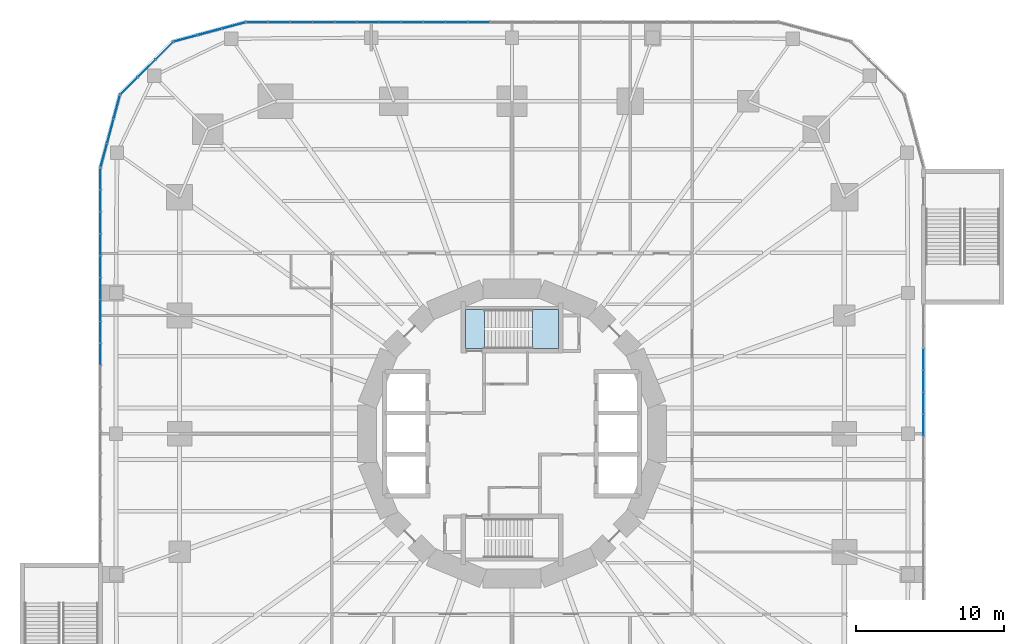
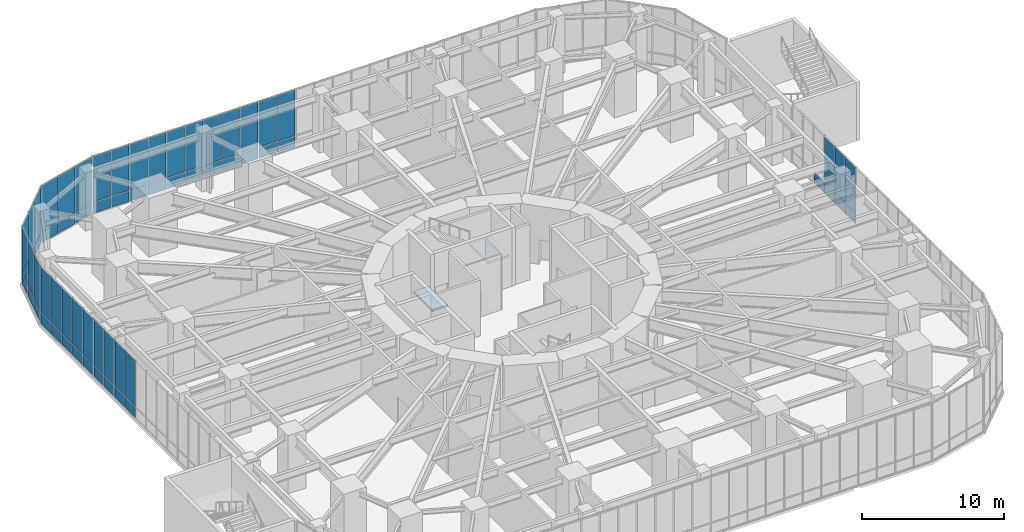
# One storey, part 18 of 24: 65 plates, 2 slabs, 7 elements without a shape of their own.
"""IFC4 building model written with IfcOpenShell, lengths in metres."""

import ifcopenshell
import ifcopenshell.guid

model = None  # the IFC model being written
_history = None  # IfcOwnerHistory: only IFC2X3 demands one
_inside = {}  # id of a spatial element -> (the spatial element, [elements in it])
_under = {}  # id of a project, library or spatial element -> (it, [spatial elements below it])
_declared = {}  # id of a project -> (the project, [libraries it declares])
_typed = {}  # id of a type object -> (the type object, [elements of that type])
_made_of = {}  # id of a material, layer set ... -> (it, [elements and type objects made of it])


def new_model(schema):
    """Start an empty IFC model of exactly this schema.

    Asked for "IFC4X3", IfcOpenShell would pick the latest addendum, in which some entities
    have other attributes; the version numbers below select the first issue.
    IFC2X3 requires an IfcOwnerHistory on every rooted entity: one is made here for all.
    """
    global model, _history
    if schema == "IFC4X3":
        model = ifcopenshell.file(schema_version=(4, 3, 0, 0))
    else:
        model = ifcopenshell.file(schema=schema)
    _inside.clear()
    _under.clear()
    _declared.clear()
    _typed.clear()
    _made_of.clear()
    _history = None
    if model.schema == "IFC2X3":
        org = make("IfcOrganization", Name="unknown")
        user = make(
            "IfcPersonAndOrganization",
            ThePerson=make("IfcPerson", FamilyName="unknown"),
            TheOrganization=org,
        )
        app = make(
            "IfcApplication",
            ApplicationDeveloper=org,
            Version="unknown",
            ApplicationFullName="unknown",
            ApplicationIdentifier="unknown",
        )
        _history = make(
            "IfcOwnerHistory",
            OwningUser=user,
            OwningApplication=app,
            ChangeAction="ADDED",
            CreationDate=0,
        )
    return model


def make(cls, **values):
    """One entity of the class cls with the attributes given. An attribute that is None is left unset."""
    return model.create_entity(
        cls, **{name: value for name, value in values.items() if value is not None}
    )


def rooted(cls, **values):
    """An entity with a GlobalId (a new one), such as an element, a storey or a relation."""
    return make(cls, GlobalId=ifcopenshell.guid.new(), OwnerHistory=_history, **values)


def si_unit(unit_type, name, prefix=None):
    """IfcSIUnit, for example si_unit("LENGTHUNIT", "METRE", prefix="MILLI")."""
    return make("IfcSIUnit", UnitType=unit_type, Prefix=prefix, Name=name)


def assignment(units):
    """IfcUnitAssignment: the units of a project."""
    return None if units is None else make("IfcUnitAssignment", Units=units)


def point(xyz):
    """IfcCartesianPoint."""
    return None if xyz is None else make("IfcCartesianPoint", Coordinates=xyz)


def direction(xyz):
    """IfcDirection."""
    return None if xyz is None else make("IfcDirection", DirectionRatios=xyz)


def frame(location, z_axis=None, x_axis=None):
    """IfcAxis2Placement3D, a coordinate frame: its origin and axes. An axis left out is left unset."""
    return make(
        "IfcAxis2Placement3D",
        Location=point(location),
        Axis=direction(z_axis),
        RefDirection=direction(x_axis),
    )


def frame_2d(location, x_axis=None):
    """IfcAxis2Placement2D, a coordinate frame in the plane: its origin and x axis."""
    return make(
        "IfcAxis2Placement2D", Location=point(location), RefDirection=direction(x_axis)
    )


def origin():
    """The frame at (0, 0, 0) with its axes left unset."""
    return frame((0.0, 0.0, 0.0))


def origin_2d():
    """The frame at (0, 0) in the plane with its x axis left unset."""
    return frame_2d((0.0, 0.0))


def place(relative_to, where):
    """IfcLocalPlacement: puts the frame where relative to a parent placement (None: the world)."""
    return make(
        "IfcLocalPlacement", PlacementRelTo=relative_to, RelativePlacement=where
    )


def context(
    kind, dimensions, precision=None, world=None, true_north=None, identifier=None
):
    """IfcGeometricRepresentationContext, for example the 3D "Model" context."""
    return make(
        "IfcGeometricRepresentationContext",
        ContextIdentifier=identifier,
        ContextType=kind,
        CoordinateSpaceDimension=dimensions,
        Precision=precision,
        WorldCoordinateSystem=world,
        TrueNorth=true_north,
    )


def subcontext(parent, identifier, kind, view, scale=None):
    """IfcGeometricRepresentationSubContext, for example "Body" below "Model"."""
    return make(
        "IfcGeometricRepresentationSubContext",
        ContextIdentifier=identifier,
        ContextType=kind,
        ParentContext=parent,
        TargetScale=scale,
        TargetView=view,
    )


def project(units=None, contexts=None):
    """IfcProject with its units and contexts."""
    return rooted(
        "IfcProject",
        Name="project",
        RepresentationContexts=contexts,
        UnitsInContext=assignment(units),
    )


def spatial(cls, under=None, at=None, **own):
    """A site, building, storey or space (cls), placed at a placement, below another one or the project."""
    s = rooted(cls, ObjectPlacement=at, **own)
    if under is not None:
        _under.setdefault(under.id(), (under, []))[1].append(s)
    return s


def polyline(points):
    """IfcPolyline through the points."""
    return make("IfcPolyline", Points=[point(p) for p in points])


def profile(cls, at=None, kind="AREA", **sizes):
    """A parametric profile (cls). Its sizes go by their IFC names, for example OverallWidth=200.0."""
    return make(cls, ProfileType=kind, Position=at, **sizes)


def rectangle(**sizes):
    """IfcRectangleProfileDef."""
    return profile("IfcRectangleProfileDef", **sizes)


def outline(outer, holes=None, kind="AREA"):
    """IfcArbitraryClosedProfileDef: a profile drawn as a closed curve; with holes, ...WithVoids."""
    if holes is None:
        return make("IfcArbitraryClosedProfileDef", ProfileType=kind, OuterCurve=outer)
    return make(
        "IfcArbitraryProfileDefWithVoids",
        ProfileType=kind,
        OuterCurve=outer,
        InnerCurves=holes,
    )


def extrude(swept, where, along, depth):
    """IfcExtrudedAreaSolid: the profile swept, set in the frame where, extruded along a direction by depth."""
    return make(
        "IfcExtrudedAreaSolid",
        SweptArea=swept,
        Position=where,
        ExtrudedDirection=direction(along),
        Depth=depth,
    )


def shape(context_of_items, identifier, shape_type, items):
    """IfcShapeRepresentation: the items that make up one representation, for example the "Body"."""
    return make(
        "IfcShapeRepresentation",
        ContextOfItems=context_of_items,
        RepresentationIdentifier=identifier,
        RepresentationType=shape_type,
        Items=items,
    )


def material(Name=None, Category=None):
    """IfcMaterial."""
    return make("IfcMaterial", Name=Name, Category=Category)


def layer(
    of_material, thickness, ventilated=None, Name=None, Category=None, Priority=None
):
    """IfcMaterialLayer: one layer of a wall or slab, of a material (None: an air gap)."""
    return make(
        "IfcMaterialLayer",
        Material=of_material,
        LayerThickness=thickness,
        IsVentilated=ventilated,
        Name=Name,
        Category=Category,
        Priority=Priority,
    )


def layer_set(layers, Name=None):
    """IfcMaterialLayerSet."""
    return make("IfcMaterialLayerSet", MaterialLayers=layers, LayerSetName=Name)


def made_of(thing, what):
    """Note that an element or type object is made of a material, layer set ...; save() writes the relation."""
    if what is not None:
        _made_of.setdefault(what.id(), (what, []))[1].append(thing)
    return thing


def type_object(cls, material=None, **own):
    """A type object (cls), such as IfcWallType, which elements share."""
    return made_of(rooted(cls, **own), material)


def element(
    cls,
    number,
    at=None,
    inside=None,
    cuts=None,
    type_object=None,
    material=None,
    context=None,
    identifier="Body",
    shape_type=None,
    held_by="IfcProductDefinitionShape",
    body=None,
    shapes=None,
    **own,
):
    """One element of the class cls, such as IfcWall. Its Tag is "e" and its number.

    at: its placement. inside: the storey or other place that contains it. cuts: it is an
    opening in that element (IfcRelVoidsElement). A single representation is given by context,
    identifier, shape_type and body (its items); several are given by shapes. held_by: the class
    of the entity that holds the representations. save() writes the other relations.
    """
    e = rooted(cls, Tag="e%d" % number, ObjectPlacement=at, **own)
    if body is not None:
        shapes = [shape(context, identifier, shape_type, body)]
    if shapes is not None:
        e.Representation = make(held_by, Representations=shapes)
    if inside is not None:
        _inside.setdefault(inside.id(), (inside, []))[1].append(e)
    if cuts is not None:
        rooted(
            "IfcRelVoidsElement", RelatingBuildingElement=cuts, RelatedOpeningElement=e
        )
    if type_object is not None:
        _typed.setdefault(type_object.id(), (type_object, []))[1].append(e)
    return made_of(e, material)


def aggregate(whole, parts):
    """IfcRelAggregates: a whole, such as a stair, and the parts it consists of."""
    return rooted("IfcRelAggregates", RelatingObject=whole, RelatedObjects=parts)


def save(model, path):
    """Write the relations noted so far, then the file.

    IfcRelAggregates (storeys below a building ...), IfcRelContainedInSpatialStructure (elements
    in a storey), IfcRelDefinesByType, IfcRelAssociatesMaterial and IfcRelDeclares: one each for
    every whole, place, type object, material and project.
    """
    for whole, parts in _under.values():
        aggregate(whole, parts)
    for where, things in _inside.values():
        rooted(
            "IfcRelContainedInSpatialStructure",
            RelatedElements=things,
            RelatingStructure=where,
        )
    for kind, things in _typed.values():
        rooted("IfcRelDefinesByType", RelatedObjects=things, RelatingType=kind)
    for what, things in _made_of.values():
        rooted("IfcRelAssociatesMaterial", RelatedObjects=things, RelatingMaterial=what)
    for by, libraries in _declared.values():
        rooted("IfcRelDeclares", RelatingContext=by, RelatedDefinitions=libraries)
    model.write(path)


model = new_model("IFC4")

# Units and contexts
model_context = context("Model", 3, precision=1e-05, world=origin(), true_north=direction((0.0, 1.0)))
body_context = subcontext(model_context, "Body", "Model", "MODEL_VIEW")
ifc_project = project(units=[si_unit("LENGTHUNIT", "METRE"), si_unit("AREAUNIT", "SQUARE_METRE"), si_unit("VOLUMEUNIT", "CUBIC_METRE"), si_unit("PLANEANGLEUNIT", "RADIAN"), si_unit("MASSUNIT", "GRAM", prefix="KILO")], contexts=[model_context])

# Site, building, storey
site_placement = place(None, origin())
site = spatial("IfcSite", under=ifc_project, at=site_placement, CompositionType="ELEMENT")
building_placement = place(site_placement, origin())
building = spatial("IfcBuilding", under=site, at=building_placement, Name="Nakasero Lantern House", CompositionType="ELEMENT")
storey_placement = place(building_placement, frame((0.0, 0.0, 6.0)))
storey = spatial("IfcBuildingStorey", under=building, at=storey_placement, Name="L01", CompositionType="ELEMENT", Elevation=6.0)

# Curtain wall, plates
ifc_material_1 = material(Name="Aluminium 6063-T6 and glass", Category="aluminium")
curtain_wall_type = type_object("IfcCurtainWallType", Name="Podium curtain wall CW-2", PredefinedType="USERDEFINED", material=ifc_material_1)
curtain_wall_1_placement = place(storey_placement, origin())
curtain_wall_1 = element("IfcCurtainWall", 1, at=curtain_wall_1_placement, inside=storey, type_object=curtain_wall_type, Name="Curtain wall CW-2 L01", ObjectType="STICK CURTAIN WALL", PredefinedType="USERDEFINED")
ifc_material_2 = material(Name="Glass", Category="glass")
ifc_layer_1 = layer(ifc_material_2, 0.028076171875)
ifc_layer_set_1 = layer_set([ifc_layer_1], Name="Glazed panel CW-2")
plate_type = type_object("IfcPlateType", Name="Glazed panel CW-2", PredefinedType="CURTAIN_PANEL", material=ifc_layer_set_1)
plate_1_placement = place(storey_placement, frame((27.85009765625, 0.576416015625, 0.06005859375), z_axis=(0.0, 0.0, 1.0), x_axis=(0.0, 1.0, 0.0)))
plate_1 = element("IfcPlate", 2, at=plate_1_placement, type_object=plate_type, Name="CW-2 panel 13.1", PredefinedType="CURTAIN_PANEL", context=body_context, shape_type="SweptSolid", body=[
    extrude(rectangle(XDim=1.426025390625, YDim=0.028076171875, at=origin_2d()), origin(), (0.0, 0.0, 1.0), 0.909912109375),
])
plate_2_placement = place(storey_placement, frame((27.85009765625, 0.576416015625, 1.0302734375), z_axis=(0.0, 0.0, 1.0), x_axis=(0.0, 1.0, 0.0)))
plate_2 = element("IfcPlate", 3, at=plate_2_placement, type_object=plate_type, Name="CW-2 panel 13.2", PredefinedType="CURTAIN_PANEL", context=body_context, shape_type="SweptSolid", body=[
    extrude(rectangle(XDim=1.426025390625, YDim=0.028076171875, at=origin_2d()), origin(), (0.0, 0.0, 1.0), 3.909912109375),
])
plate_3_placement = place(storey_placement, frame((27.85009765625, 2.0625, 0.06005859375), z_axis=(0.0, 0.0, 1.0), x_axis=(0.0, 1.0, 0.0)))
plate_3 = element("IfcPlate", 4, at=plate_3_placement, type_object=plate_type, Name="CW-2 panel 14.1", PredefinedType="CURTAIN_PANEL", context=body_context, shape_type="SweptSolid", body=[
    extrude(rectangle(XDim=1.426025390625, YDim=0.028076171875, at=origin_2d()), origin(), (0.0, 0.0, 1.0), 0.909912109375),
])
plate_4_placement = place(storey_placement, frame((27.85009765625, 2.0625, 1.0302734375), z_axis=(0.0, 0.0, 1.0), x_axis=(0.0, 1.0, 0.0)))
plate_4 = element("IfcPlate", 5, at=plate_4_placement, type_object=plate_type, Name="CW-2 panel 14.2", PredefinedType="CURTAIN_PANEL", context=body_context, shape_type="SweptSolid", body=[
    extrude(rectangle(XDim=1.426025390625, YDim=0.028076171875, at=origin_2d()), origin(), (0.0, 0.0, 1.0), 3.909912109375),
])
plate_5_placement = place(storey_placement, frame((27.85009765625, 3.548583984375, 0.06005859375), z_axis=(0.0, 0.0, 1.0), x_axis=(0.0, 1.0, 0.0)))
plate_5 = element("IfcPlate", 6, at=plate_5_placement, type_object=plate_type, Name="CW-2 panel 15.1", PredefinedType="CURTAIN_PANEL", context=body_context, shape_type="SweptSolid", body=[
    extrude(rectangle(XDim=1.426025390625, YDim=0.028076171875, at=origin_2d()), origin(), (0.0, 0.0, 1.0), 0.909912109375),
])
plate_6_placement = place(storey_placement, frame((27.85009765625, 3.548583984375, 1.0302734375), z_axis=(0.0, 0.0, 1.0), x_axis=(0.0, 1.0, 0.0)))
plate_6 = element("IfcPlate", 7, at=plate_6_placement, type_object=plate_type, Name="CW-2 panel 15.2", PredefinedType="CURTAIN_PANEL", context=body_context, shape_type="SweptSolid", body=[
    extrude(rectangle(XDim=1.426025390625, YDim=0.028076171875, at=origin_2d()), origin(), (0.0, 0.0, 1.0), 3.909912109375),
])
plate_7_placement = place(storey_placement, frame((27.85009765625, 5.03466796875, 0.06005859375), z_axis=(0.0, 0.0, 1.0), x_axis=(0.0, 1.0, 0.0)))
plate_7 = element("IfcPlate", 8, at=plate_7_placement, type_object=plate_type, Name="CW-2 panel 16.1", PredefinedType="CURTAIN_PANEL", context=body_context, shape_type="SweptSolid", body=[
    extrude(rectangle(XDim=1.426025390625, YDim=0.028076171875, at=origin_2d()), origin(), (0.0, 0.0, 1.0), 0.909912109375),
])
aggregate(curtain_wall_1, [plate_1, plate_2, plate_3, plate_4, plate_5, plate_6, plate_7])

curtain_wall_2_placement = place(storey_placement, origin())
curtain_wall_2 = element("IfcCurtainWall", 9, at=curtain_wall_2_placement, inside=storey, type_object=curtain_wall_type, Name="Curtain wall CW-2 L01", ObjectType="STICK CURTAIN WALL", PredefinedType="USERDEFINED")
plate_8_placement = place(storey_placement, frame((-2.25, 27.85009765625, 0.06005859375), z_axis=(0.0, 0.0, 1.0), x_axis=(-1.0, 0.0, 0.0)))
plate_8 = element("IfcPlate", 10, at=plate_8_placement, type_object=plate_type, Name="CW-2 panel 14.1", PredefinedType="CURTAIN_PANEL", context=body_context, shape_type="SweptSolid", body=[
    extrude(rectangle(XDim=1.43994140625, YDim=0.028076171875, at=origin_2d()), origin(), (0.0, 0.0, 1.0), 0.909912109375),
])
plate_9_placement = place(storey_placement, frame((-2.25, 27.85009765625, 1.0302734375), z_axis=(0.0, 0.0, 1.0), x_axis=(-1.0, 0.0, 0.0)))
plate_9 = element("IfcPlate", 11, at=plate_9_placement, type_object=plate_type, Name="CW-2 panel 14.2", PredefinedType="CURTAIN_PANEL", context=body_context, shape_type="SweptSolid", body=[
    extrude(rectangle(XDim=1.43994140625, YDim=0.028076171875, at=origin_2d()), origin(), (0.0, 0.0, 1.0), 3.909912109375),
])
plate_10_placement = place(storey_placement, frame((-3.75, 27.85009765625, 0.06005859375), z_axis=(0.0, 0.0, 1.0), x_axis=(-1.0, 0.0, 0.0)))
plate_10 = element("IfcPlate", 12, at=plate_10_placement, type_object=plate_type, Name="CW-2 panel 15.1", PredefinedType="CURTAIN_PANEL", context=body_context, shape_type="SweptSolid", body=[
    extrude(rectangle(XDim=1.43994140625, YDim=0.028076171875, at=origin_2d()), origin(), (0.0, 0.0, 1.0), 0.909912109375),
])
plate_11_placement = place(storey_placement, frame((-3.75, 27.85009765625, 1.0302734375), z_axis=(0.0, 0.0, 1.0), x_axis=(-1.0, 0.0, 0.0)))
plate_11 = element("IfcPlate", 13, at=plate_11_placement, type_object=plate_type, Name="CW-2 panel 15.2", PredefinedType="CURTAIN_PANEL", context=body_context, shape_type="SweptSolid", body=[
    extrude(rectangle(XDim=1.43994140625, YDim=0.028076171875, at=origin_2d()), origin(), (0.0, 0.0, 1.0), 3.909912109375),
])
plate_12_placement = place(storey_placement, frame((-5.25, 27.85009765625, 0.06005859375), z_axis=(0.0, 0.0, 1.0), x_axis=(-1.0, 0.0, 0.0)))
plate_12 = element("IfcPlate", 14, at=plate_12_placement, type_object=plate_type, Name="CW-2 panel 16.1", PredefinedType="CURTAIN_PANEL", context=body_context, shape_type="SweptSolid", body=[
    extrude(rectangle(XDim=1.43994140625, YDim=0.028076171875, at=origin_2d()), origin(), (0.0, 0.0, 1.0), 0.909912109375),
])
plate_13_placement = place(storey_placement, frame((-5.25, 27.85009765625, 1.0302734375), z_axis=(0.0, 0.0, 1.0), x_axis=(-1.0, 0.0, 0.0)))
plate_13 = element("IfcPlate", 15, at=plate_13_placement, type_object=plate_type, Name="CW-2 panel 16.2", PredefinedType="CURTAIN_PANEL", context=body_context, shape_type="SweptSolid", body=[
    extrude(rectangle(XDim=1.43994140625, YDim=0.028076171875, at=origin_2d()), origin(), (0.0, 0.0, 1.0), 3.909912109375),
])
plate_14_placement = place(storey_placement, frame((-6.75, 27.85009765625, 0.06005859375), z_axis=(0.0, 0.0, 1.0), x_axis=(-1.0, 0.0, 0.0)))
plate_14 = element("IfcPlate", 16, at=plate_14_placement, type_object=plate_type, Name="CW-2 panel 17.1", PredefinedType="CURTAIN_PANEL", context=body_context, shape_type="SweptSolid", body=[
    extrude(rectangle(XDim=1.43994140625, YDim=0.028076171875, at=origin_2d()), origin(), (0.0, 0.0, 1.0), 0.909912109375),
])
plate_15_placement = place(storey_placement, frame((-6.75, 27.85009765625, 1.0302734375), z_axis=(0.0, 0.0, 1.0), x_axis=(-1.0, 0.0, 0.0)))
plate_15 = element("IfcPlate", 17, at=plate_15_placement, type_object=plate_type, Name="CW-2 panel 17.2", PredefinedType="CURTAIN_PANEL", context=body_context, shape_type="SweptSolid", body=[
    extrude(rectangle(XDim=1.43994140625, YDim=0.028076171875, at=origin_2d()), origin(), (0.0, 0.0, 1.0), 3.909912109375),
])
plate_16_placement = place(storey_placement, frame((-8.25, 27.85009765625, 0.06005859375), z_axis=(0.0, 0.0, 1.0), x_axis=(-1.0, 0.0, 0.0)))
plate_16 = element("IfcPlate", 18, at=plate_16_placement, type_object=plate_type, Name="CW-2 panel 18.1", PredefinedType="CURTAIN_PANEL", context=body_context, shape_type="SweptSolid", body=[
    extrude(rectangle(XDim=1.43994140625, YDim=0.028076171875, at=origin_2d()), origin(), (0.0, 0.0, 1.0), 0.909912109375),
])
plate_17_placement = place(storey_placement, frame((-8.25, 27.85009765625, 1.0302734375), z_axis=(0.0, 0.0, 1.0), x_axis=(-1.0, 0.0, 0.0)))
plate_17 = element("IfcPlate", 19, at=plate_17_placement, type_object=plate_type, Name="CW-2 panel 18.2", PredefinedType="CURTAIN_PANEL", context=body_context, shape_type="SweptSolid", body=[
    extrude(rectangle(XDim=1.43994140625, YDim=0.028076171875, at=origin_2d()), origin(), (0.0, 0.0, 1.0), 3.909912109375),
])
plate_18_placement = place(storey_placement, frame((-9.75, 27.85009765625, 0.06005859375), z_axis=(0.0, 0.0, 1.0), x_axis=(-1.0, 0.0, 0.0)))
plate_18 = element("IfcPlate", 20, at=plate_18_placement, type_object=plate_type, Name="CW-2 panel 19.1", PredefinedType="CURTAIN_PANEL", context=body_context, shape_type="SweptSolid", body=[
    extrude(rectangle(XDim=1.43994140625, YDim=0.028076171875, at=origin_2d()), origin(), (0.0, 0.0, 1.0), 0.909912109375),
])
plate_19_placement = place(storey_placement, frame((-9.75, 27.85009765625, 1.0302734375), z_axis=(0.0, 0.0, 1.0), x_axis=(-1.0, 0.0, 0.0)))
plate_19 = element("IfcPlate", 21, at=plate_19_placement, type_object=plate_type, Name="CW-2 panel 19.2", PredefinedType="CURTAIN_PANEL", context=body_context, shape_type="SweptSolid", body=[
    extrude(rectangle(XDim=1.43994140625, YDim=0.028076171875, at=origin_2d()), origin(), (0.0, 0.0, 1.0), 3.909912109375),
])
plate_20_placement = place(storey_placement, frame((-11.25, 27.85009765625, 0.06005859375), z_axis=(0.0, 0.0, 1.0), x_axis=(-1.0, 0.0, 0.0)))
plate_20 = element("IfcPlate", 22, at=plate_20_placement, type_object=plate_type, Name="CW-2 panel 20.1", PredefinedType="CURTAIN_PANEL", context=body_context, shape_type="SweptSolid", body=[
    extrude(rectangle(XDim=1.43994140625, YDim=0.028076171875, at=origin_2d()), origin(), (0.0, 0.0, 1.0), 0.909912109375),
])
plate_21_placement = place(storey_placement, frame((-11.25, 27.85009765625, 1.0302734375), z_axis=(0.0, 0.0, 1.0), x_axis=(-1.0, 0.0, 0.0)))
plate_21 = element("IfcPlate", 23, at=plate_21_placement, type_object=plate_type, Name="CW-2 panel 20.2", PredefinedType="CURTAIN_PANEL", context=body_context, shape_type="SweptSolid", body=[
    extrude(rectangle(XDim=1.43994140625, YDim=0.028076171875, at=origin_2d()), origin(), (0.0, 0.0, 1.0), 3.909912109375),
])
plate_22_placement = place(storey_placement, frame((-12.75, 27.85009765625, 0.06005859375), z_axis=(0.0, 0.0, 1.0), x_axis=(-1.0, 0.0, 0.0)))
plate_22 = element("IfcPlate", 24, at=plate_22_placement, type_object=plate_type, Name="CW-2 panel 21.1", PredefinedType="CURTAIN_PANEL", context=body_context, shape_type="SweptSolid", body=[
    extrude(rectangle(XDim=1.43994140625, YDim=0.028076171875, at=origin_2d()), origin(), (0.0, 0.0, 1.0), 0.909912109375),
])
plate_23_placement = place(storey_placement, frame((-12.75, 27.85009765625, 1.0302734375), z_axis=(0.0, 0.0, 1.0), x_axis=(-1.0, 0.0, 0.0)))
plate_23 = element("IfcPlate", 25, at=plate_23_placement, type_object=plate_type, Name="CW-2 panel 21.2", PredefinedType="CURTAIN_PANEL", context=body_context, shape_type="SweptSolid", body=[
    extrude(rectangle(XDim=1.43994140625, YDim=0.028076171875, at=origin_2d()), origin(), (0.0, 0.0, 1.0), 3.909912109375),
])
plate_24_placement = place(storey_placement, frame((-14.25, 27.85009765625, 0.06005859375), z_axis=(0.0, 0.0, 1.0), x_axis=(-1.0, 0.0, 0.0)))
plate_24 = element("IfcPlate", 26, at=plate_24_placement, type_object=plate_type, Name="CW-2 panel 22.1", PredefinedType="CURTAIN_PANEL", context=body_context, shape_type="SweptSolid", body=[
    extrude(rectangle(XDim=1.43994140625, YDim=0.028076171875, at=origin_2d()), origin(), (0.0, 0.0, 1.0), 0.909912109375),
])
plate_25_placement = place(storey_placement, frame((-14.25, 27.85009765625, 1.0302734375), z_axis=(0.0, 0.0, 1.0), x_axis=(-1.0, 0.0, 0.0)))
plate_25 = element("IfcPlate", 27, at=plate_25_placement, type_object=plate_type, Name="CW-2 panel 22.2", PredefinedType="CURTAIN_PANEL", context=body_context, shape_type="SweptSolid", body=[
    extrude(rectangle(XDim=1.43994140625, YDim=0.028076171875, at=origin_2d()), origin(), (0.0, 0.0, 1.0), 3.909912109375),
])
plate_26_placement = place(storey_placement, frame((-15.75, 27.85009765625, 0.06005859375), z_axis=(0.0, 0.0, 1.0), x_axis=(-1.0, 0.0, 0.0)))
plate_26 = element("IfcPlate", 28, at=plate_26_placement, type_object=plate_type, Name="CW-2 panel 23.1", PredefinedType="CURTAIN_PANEL", context=body_context, shape_type="SweptSolid", body=[
    extrude(rectangle(XDim=1.43994140625, YDim=0.028076171875, at=origin_2d()), origin(), (0.0, 0.0, 1.0), 0.909912109375),
])
plate_27_placement = place(storey_placement, frame((-15.75, 27.85009765625, 1.0302734375), z_axis=(0.0, 0.0, 1.0), x_axis=(-1.0, 0.0, 0.0)))
plate_27 = element("IfcPlate", 29, at=plate_27_placement, type_object=plate_type, Name="CW-2 panel 23.2", PredefinedType="CURTAIN_PANEL", context=body_context, shape_type="SweptSolid", body=[
    extrude(rectangle(XDim=1.43994140625, YDim=0.028076171875, at=origin_2d()), origin(), (0.0, 0.0, 1.0), 3.909912109375),
])
plate_28_placement = place(storey_placement, frame((-17.235107421875, 27.85009765625, 0.06005859375), z_axis=(0.0, 0.0, 1.0), x_axis=(-1.0, 0.0, 0.0)))
plate_28 = element("IfcPlate", 30, at=plate_28_placement, type_object=plate_type, Name="CW-2 panel 24.1", PredefinedType="CURTAIN_PANEL", context=body_context, shape_type="SweptSolid", body=[
    extrude(rectangle(XDim=1.409912109375, YDim=0.028076171875, at=origin_2d()), origin(), (0.0, 0.0, 1.0), 0.909912109375),
])
plate_29_placement = place(storey_placement, frame((-17.235107421875, 27.85009765625, 1.0302734375), z_axis=(0.0, 0.0, 1.0), x_axis=(-1.0, 0.0, 0.0)))
plate_29 = element("IfcPlate", 31, at=plate_29_placement, type_object=plate_type, Name="CW-2 panel 24.2", PredefinedType="CURTAIN_PANEL", context=body_context, shape_type="SweptSolid", body=[
    extrude(rectangle(XDim=1.409912109375, YDim=0.028076171875, at=origin_2d()), origin(), (0.0, 0.0, 1.0), 3.909912109375),
])
aggregate(curtain_wall_2, [plate_8, plate_9, plate_10, plate_11, plate_12, plate_13, plate_14, plate_15, plate_16, plate_17, plate_18, plate_19, plate_20, plate_21, plate_22, plate_23, plate_24, plate_25, plate_26, plate_27, plate_28, plate_29])

curtain_wall_3_placement = place(storey_placement, origin())
curtain_wall_3 = element("IfcCurtainWall", 32, at=curtain_wall_3_placement, inside=storey, type_object=curtain_wall_type, Name="Curtain wall CW-2 L01", ObjectType="STICK CURTAIN WALL", PredefinedType="USERDEFINED")
plate_30_placement = place(storey_placement, frame((-18.835205078125, 27.626220703125, 0.06005859375), z_axis=(0.0, 0.0, 1.0), x_axis=(-0.965925826276, -0.258819045153, 0.0)))
plate_30 = element("IfcPlate", 33, at=plate_30_placement, type_object=plate_type, Name="CW-2 panel 1.1", PredefinedType="CURTAIN_PANEL", context=body_context, shape_type="SweptSolid", body=[
    extrude(rectangle(XDim=1.609619140625, YDim=0.028076171875, at=origin_2d()), origin(), (0.0, 0.0, 1.0), 0.909912109375),
])
plate_31_placement = place(storey_placement, frame((-18.835205078125, 27.626220703125, 1.0302734375), z_axis=(0.0, 0.0, 1.0), x_axis=(-0.965925826276, -0.258819045153, 0.0)))
plate_31 = element("IfcPlate", 34, at=plate_31_placement, type_object=plate_type, Name="CW-2 panel 1.2", PredefinedType="CURTAIN_PANEL", context=body_context, shape_type="SweptSolid", body=[
    extrude(rectangle(XDim=1.609619140625, YDim=0.028076171875, at=origin_2d()), origin(), (0.0, 0.0, 1.0), 3.909912109375),
])
plate_32_placement = place(storey_placement, frame((-20.46240234375, 27.190185546875, 0.06005859375), z_axis=(0.0, 0.0, 1.0), x_axis=(-0.965925826276, -0.258819045153, 0.0)))
plate_32 = element("IfcPlate", 35, at=plate_32_placement, type_object=plate_type, Name="CW-2 panel 2.1", PredefinedType="CURTAIN_PANEL", context=body_context, shape_type="SweptSolid", body=[
    extrude(rectangle(XDim=1.6396484375, YDim=0.028076171875, at=origin_2d()), origin(), (0.0, 0.0, 1.0), 0.909912109375),
])
plate_33_placement = place(storey_placement, frame((-20.46240234375, 27.190185546875, 1.0302734375), z_axis=(0.0, 0.0, 1.0), x_axis=(-0.965925826276, -0.258819045153, 0.0)))
plate_33 = element("IfcPlate", 36, at=plate_33_placement, type_object=plate_type, Name="CW-2 panel 2.2", PredefinedType="CURTAIN_PANEL", context=body_context, shape_type="SweptSolid", body=[
    extrude(rectangle(XDim=1.6396484375, YDim=0.028076171875, at=origin_2d()), origin(), (0.0, 0.0, 1.0), 3.909912109375),
])
plate_34_placement = place(storey_placement, frame((-22.089599609375, 26.754150390625, 0.06005859375), z_axis=(0.0, 0.0, 1.0), x_axis=(-0.965925826276, -0.258819045153, 0.0)))
plate_34 = element("IfcPlate", 37, at=plate_34_placement, type_object=plate_type, Name="CW-2 panel 3.1", PredefinedType="CURTAIN_PANEL", context=body_context, shape_type="SweptSolid", body=[
    extrude(rectangle(XDim=1.609619140625, YDim=0.028076171875, at=origin_2d()), origin(), (0.0, 0.0, 1.0), 0.909912109375),
])
plate_35_placement = place(storey_placement, frame((-22.089599609375, 26.754150390625, 1.0302734375), z_axis=(0.0, 0.0, 1.0), x_axis=(-0.965925826276, -0.258819045153, 0.0)))
plate_35 = element("IfcPlate", 38, at=plate_35_placement, type_object=plate_type, Name="CW-2 panel 3.2", PredefinedType="CURTAIN_PANEL", context=body_context, shape_type="SweptSolid", body=[
    extrude(rectangle(XDim=1.609619140625, YDim=0.028076171875, at=origin_2d()), origin(), (0.0, 0.0, 1.0), 3.909912109375),
])
aggregate(curtain_wall_3, [plate_30, plate_31, plate_32, plate_33, plate_34, plate_35])

curtain_wall_4_placement = place(storey_placement, origin())
curtain_wall_4 = element("IfcCurtainWall", 39, at=curtain_wall_4_placement, inside=storey, type_object=curtain_wall_type, Name="Curtain wall CW-2 L01", ObjectType="STICK CURTAIN WALL", PredefinedType="USERDEFINED")
plate_36_placement = place(storey_placement, frame((-23.536376953125, 25.9189453125, 0.06005859375), z_axis=(0.0, 0.0, 1.0), x_axis=(-0.707106781187, -0.707106781187, 0.0)))
plate_36 = element("IfcPlate", 40, at=plate_36_placement, type_object=plate_type, Name="CW-2 panel 1.1", PredefinedType="CURTAIN_PANEL", context=body_context, shape_type="SweptSolid", body=[
    extrude(rectangle(XDim=1.609619140625, YDim=0.028076171875, at=origin_2d()), origin(), (0.0, 0.0, 1.0), 0.909912109375),
])
plate_37_placement = place(storey_placement, frame((-23.536376953125, 25.9189453125, 1.0302734375), z_axis=(0.0, 0.0, 1.0), x_axis=(-0.707106781187, -0.707106781187, 0.0)))
plate_37 = element("IfcPlate", 41, at=plate_37_placement, type_object=plate_type, Name="CW-2 panel 1.2", PredefinedType="CURTAIN_PANEL", context=body_context, shape_type="SweptSolid", body=[
    extrude(rectangle(XDim=1.609619140625, YDim=0.028076171875, at=origin_2d()), origin(), (0.0, 0.0, 1.0), 3.909912109375),
])
plate_38_placement = place(storey_placement, frame((-24.727783203125, 24.727783203125, 0.06005859375), z_axis=(0.0, 0.0, 1.0), x_axis=(-0.707106781187, -0.707106781187, 0.0)))
plate_38 = element("IfcPlate", 42, at=plate_38_placement, type_object=plate_type, Name="CW-2 panel 2.1", PredefinedType="CURTAIN_PANEL", context=body_context, shape_type="SweptSolid", body=[
    extrude(rectangle(XDim=1.6396484375, YDim=0.028076171875, at=origin_2d()), origin(), (0.0, 0.0, 1.0), 0.909912109375),
])
plate_39_placement = place(storey_placement, frame((-24.727783203125, 24.727783203125, 1.0302734375), z_axis=(0.0, 0.0, 1.0), x_axis=(-0.707106781187, -0.707106781187, 0.0)))
plate_39 = element("IfcPlate", 43, at=plate_39_placement, type_object=plate_type, Name="CW-2 panel 2.2", PredefinedType="CURTAIN_PANEL", context=body_context, shape_type="SweptSolid", body=[
    extrude(rectangle(XDim=1.6396484375, YDim=0.028076171875, at=origin_2d()), origin(), (0.0, 0.0, 1.0), 3.909912109375),
])
plate_40_placement = place(storey_placement, frame((-25.9189453125, 23.536376953125, 0.06005859375), z_axis=(0.0, 0.0, 1.0), x_axis=(-0.707106781187, -0.707106781187, 0.0)))
plate_40 = element("IfcPlate", 44, at=plate_40_placement, type_object=plate_type, Name="CW-2 panel 3.1", PredefinedType="CURTAIN_PANEL", context=body_context, shape_type="SweptSolid", body=[
    extrude(rectangle(XDim=1.609619140625, YDim=0.028076171875, at=origin_2d()), origin(), (0.0, 0.0, 1.0), 0.909912109375),
])
plate_41_placement = place(storey_placement, frame((-25.9189453125, 23.536376953125, 1.0302734375), z_axis=(0.0, 0.0, 1.0), x_axis=(-0.707106781187, -0.707106781187, 0.0)))
plate_41 = element("IfcPlate", 45, at=plate_41_placement, type_object=plate_type, Name="CW-2 panel 3.2", PredefinedType="CURTAIN_PANEL", context=body_context, shape_type="SweptSolid", body=[
    extrude(rectangle(XDim=1.609619140625, YDim=0.028076171875, at=origin_2d()), origin(), (0.0, 0.0, 1.0), 3.909912109375),
])
aggregate(curtain_wall_4, [plate_36, plate_37, plate_38, plate_39, plate_40, plate_41])

curtain_wall_5_placement = place(storey_placement, origin())
curtain_wall_5 = element("IfcCurtainWall", 46, at=curtain_wall_5_placement, inside=storey, type_object=curtain_wall_type, Name="Curtain wall CW-2 L01", ObjectType="STICK CURTAIN WALL", PredefinedType="USERDEFINED")
plate_42_placement = place(storey_placement, frame((-26.754150390625, 22.089599609375, 0.06005859375), z_axis=(0.0, 0.0, 1.0), x_axis=(-0.258819045153, -0.965925826276, 0.0)))
plate_42 = element("IfcPlate", 47, at=plate_42_placement, type_object=plate_type, Name="CW-2 panel 1.1", PredefinedType="CURTAIN_PANEL", context=body_context, shape_type="SweptSolid", body=[
    extrude(rectangle(XDim=1.609619140625, YDim=0.028076171875, at=origin_2d()), origin(), (0.0, 0.0, 1.0), 0.909912109375),
])
plate_43_placement = place(storey_placement, frame((-26.754150390625, 22.089599609375, 1.0302734375), z_axis=(0.0, 0.0, 1.0), x_axis=(-0.258819045153, -0.965925826276, 0.0)))
plate_43 = element("IfcPlate", 48, at=plate_43_placement, type_object=plate_type, Name="CW-2 panel 1.2", PredefinedType="CURTAIN_PANEL", context=body_context, shape_type="SweptSolid", body=[
    extrude(rectangle(XDim=1.609619140625, YDim=0.028076171875, at=origin_2d()), origin(), (0.0, 0.0, 1.0), 3.909912109375),
])
plate_44_placement = place(storey_placement, frame((-27.190185546875, 20.46240234375, 0.06005859375), z_axis=(0.0, 0.0, 1.0), x_axis=(-0.258819045153, -0.965925826276, 0.0)))
plate_44 = element("IfcPlate", 49, at=plate_44_placement, type_object=plate_type, Name="CW-2 panel 2.1", PredefinedType="CURTAIN_PANEL", context=body_context, shape_type="SweptSolid", body=[
    extrude(rectangle(XDim=1.6396484375, YDim=0.028076171875, at=origin_2d()), origin(), (0.0, 0.0, 1.0), 0.909912109375),
])
plate_45_placement = place(storey_placement, frame((-27.190185546875, 20.46240234375, 1.0302734375), z_axis=(0.0, 0.0, 1.0), x_axis=(-0.258819045153, -0.965925826276, 0.0)))
plate_45 = element("IfcPlate", 50, at=plate_45_placement, type_object=plate_type, Name="CW-2 panel 2.2", PredefinedType="CURTAIN_PANEL", context=body_context, shape_type="SweptSolid", body=[
    extrude(rectangle(XDim=1.6396484375, YDim=0.028076171875, at=origin_2d()), origin(), (0.0, 0.0, 1.0), 3.909912109375),
])
plate_46_placement = place(storey_placement, frame((-27.626220703125, 18.835205078125, 0.06005859375), z_axis=(0.0, 0.0, 1.0), x_axis=(-0.258819045153, -0.965925826276, 0.0)))
plate_46 = element("IfcPlate", 51, at=plate_46_placement, type_object=plate_type, Name="CW-2 panel 3.1", PredefinedType="CURTAIN_PANEL", context=body_context, shape_type="SweptSolid", body=[
    extrude(rectangle(XDim=1.609619140625, YDim=0.028076171875, at=origin_2d()), origin(), (0.0, 0.0, 1.0), 0.909912109375),
])
plate_47_placement = place(storey_placement, frame((-27.626220703125, 18.835205078125, 1.0302734375), z_axis=(0.0, 0.0, 1.0), x_axis=(-0.258819045153, -0.965925826276, 0.0)))
plate_47 = element("IfcPlate", 52, at=plate_47_placement, type_object=plate_type, Name="CW-2 panel 3.2", PredefinedType="CURTAIN_PANEL", context=body_context, shape_type="SweptSolid", body=[
    extrude(rectangle(XDim=1.609619140625, YDim=0.028076171875, at=origin_2d()), origin(), (0.0, 0.0, 1.0), 3.909912109375),
])
aggregate(curtain_wall_5, [plate_42, plate_43, plate_44, plate_45, plate_46, plate_47])

curtain_wall_6_placement = place(storey_placement, origin())
curtain_wall_6 = element("IfcCurtainWall", 53, at=curtain_wall_6_placement, inside=storey, type_object=curtain_wall_type, Name="Curtain wall CW-2 L01", ObjectType="STICK CURTAIN WALL", PredefinedType="USERDEFINED")
plate_48_placement = place(storey_placement, frame((-27.85009765625, 17.241943359375, 0.06005859375), z_axis=(0.0, 0.0, 1.0), x_axis=(0.0, -1.0, 0.0)))
plate_48 = element("IfcPlate", 54, at=plate_48_placement, type_object=plate_type, Name="CW-2 panel 1.1", PredefinedType="CURTAIN_PANEL", context=body_context, shape_type="SweptSolid", body=[
    extrude(rectangle(XDim=1.39599609375, YDim=0.028076171875, at=origin_2d()), origin(), (0.0, 0.0, 1.0), 0.909912109375),
])
plate_49_placement = place(storey_placement, frame((-27.85009765625, 17.241943359375, 1.0302734375), z_axis=(0.0, 0.0, 1.0), x_axis=(0.0, -1.0, 0.0)))
plate_49 = element("IfcPlate", 55, at=plate_49_placement, type_object=plate_type, Name="CW-2 panel 1.2", PredefinedType="CURTAIN_PANEL", context=body_context, shape_type="SweptSolid", body=[
    extrude(rectangle(XDim=1.39599609375, YDim=0.028076171875, at=origin_2d()), origin(), (0.0, 0.0, 1.0), 3.909912109375),
])
plate_50_placement = place(storey_placement, frame((-27.85009765625, 15.770751953125, 0.06005859375), z_axis=(0.0, 0.0, 1.0), x_axis=(0.0, -1.0, 0.0)))
plate_50 = element("IfcPlate", 56, at=plate_50_placement, type_object=plate_type, Name="CW-2 panel 2.1", PredefinedType="CURTAIN_PANEL", context=body_context, shape_type="SweptSolid", body=[
    extrude(rectangle(XDim=1.426025390625, YDim=0.028076171875, at=origin_2d()), origin(), (0.0, 0.0, 1.0), 0.909912109375),
])
plate_51_placement = place(storey_placement, frame((-27.85009765625, 15.770751953125, 1.0302734375), z_axis=(0.0, 0.0, 1.0), x_axis=(0.0, -1.0, 0.0)))
plate_51 = element("IfcPlate", 57, at=plate_51_placement, type_object=plate_type, Name="CW-2 panel 2.2", PredefinedType="CURTAIN_PANEL", context=body_context, shape_type="SweptSolid", body=[
    extrude(rectangle(XDim=1.426025390625, YDim=0.028076171875, at=origin_2d()), origin(), (0.0, 0.0, 1.0), 3.909912109375),
])
plate_52_placement = place(storey_placement, frame((-27.85009765625, 14.28466796875, 0.06005859375), z_axis=(0.0, 0.0, 1.0), x_axis=(0.0, -1.0, 0.0)))
plate_52 = element("IfcPlate", 58, at=plate_52_placement, type_object=plate_type, Name="CW-2 panel 3.1", PredefinedType="CURTAIN_PANEL", context=body_context, shape_type="SweptSolid", body=[
    extrude(rectangle(XDim=1.426025390625, YDim=0.028076171875, at=origin_2d()), origin(), (0.0, 0.0, 1.0), 0.909912109375),
])
plate_53_placement = place(storey_placement, frame((-27.85009765625, 14.28466796875, 1.0302734375), z_axis=(0.0, 0.0, 1.0), x_axis=(0.0, -1.0, 0.0)))
plate_53 = element("IfcPlate", 59, at=plate_53_placement, type_object=plate_type, Name="CW-2 panel 3.2", PredefinedType="CURTAIN_PANEL", context=body_context, shape_type="SweptSolid", body=[
    extrude(rectangle(XDim=1.426025390625, YDim=0.028076171875, at=origin_2d()), origin(), (0.0, 0.0, 1.0), 3.909912109375),
])
plate_54_placement = place(storey_placement, frame((-27.85009765625, 12.798583984375, 0.06005859375), z_axis=(0.0, 0.0, 1.0), x_axis=(0.0, -1.0, 0.0)))
plate_54 = element("IfcPlate", 60, at=plate_54_placement, type_object=plate_type, Name="CW-2 panel 4.1", PredefinedType="CURTAIN_PANEL", context=body_context, shape_type="SweptSolid", body=[
    extrude(rectangle(XDim=1.426025390625, YDim=0.028076171875, at=origin_2d()), origin(), (0.0, 0.0, 1.0), 0.909912109375),
])
plate_55_placement = place(storey_placement, frame((-27.85009765625, 12.798583984375, 1.0302734375), z_axis=(0.0, 0.0, 1.0), x_axis=(0.0, -1.0, 0.0)))
plate_55 = element("IfcPlate", 61, at=plate_55_placement, type_object=plate_type, Name="CW-2 panel 4.2", PredefinedType="CURTAIN_PANEL", context=body_context, shape_type="SweptSolid", body=[
    extrude(rectangle(XDim=1.426025390625, YDim=0.028076171875, at=origin_2d()), origin(), (0.0, 0.0, 1.0), 3.909912109375),
])
plate_56_placement = place(storey_placement, frame((-27.85009765625, 11.3125, 0.06005859375), z_axis=(0.0, 0.0, 1.0), x_axis=(0.0, -1.0, 0.0)))
plate_56 = element("IfcPlate", 62, at=plate_56_placement, type_object=plate_type, Name="CW-2 panel 5.1", PredefinedType="CURTAIN_PANEL", context=body_context, shape_type="SweptSolid", body=[
    extrude(rectangle(XDim=1.426025390625, YDim=0.028076171875, at=origin_2d()), origin(), (0.0, 0.0, 1.0), 0.909912109375),
])
plate_57_placement = place(storey_placement, frame((-27.85009765625, 11.3125, 1.0302734375), z_axis=(0.0, 0.0, 1.0), x_axis=(0.0, -1.0, 0.0)))
plate_57 = element("IfcPlate", 63, at=plate_57_placement, type_object=plate_type, Name="CW-2 panel 5.2", PredefinedType="CURTAIN_PANEL", context=body_context, shape_type="SweptSolid", body=[
    extrude(rectangle(XDim=1.426025390625, YDim=0.028076171875, at=origin_2d()), origin(), (0.0, 0.0, 1.0), 3.909912109375),
])
plate_58_placement = place(storey_placement, frame((-27.85009765625, 9.826416015625, 0.06005859375), z_axis=(0.0, 0.0, 1.0), x_axis=(0.0, -1.0, 0.0)))
plate_58 = element("IfcPlate", 64, at=plate_58_placement, type_object=plate_type, Name="CW-2 panel 6.1", PredefinedType="CURTAIN_PANEL", context=body_context, shape_type="SweptSolid", body=[
    extrude(rectangle(XDim=1.426025390625, YDim=0.028076171875, at=origin_2d()), origin(), (0.0, 0.0, 1.0), 0.909912109375),
])
plate_59_placement = place(storey_placement, frame((-27.85009765625, 9.826416015625, 1.0302734375), z_axis=(0.0, 0.0, 1.0), x_axis=(0.0, -1.0, 0.0)))
plate_59 = element("IfcPlate", 65, at=plate_59_placement, type_object=plate_type, Name="CW-2 panel 6.2", PredefinedType="CURTAIN_PANEL", context=body_context, shape_type="SweptSolid", body=[
    extrude(rectangle(XDim=1.426025390625, YDim=0.028076171875, at=origin_2d()), origin(), (0.0, 0.0, 1.0), 3.909912109375),
])
plate_60_placement = place(storey_placement, frame((-27.85009765625, 8.34033203125, 0.06005859375), z_axis=(0.0, 0.0, 1.0), x_axis=(0.0, -1.0, 0.0)))
plate_60 = element("IfcPlate", 66, at=plate_60_placement, type_object=plate_type, Name="CW-2 panel 7.1", PredefinedType="CURTAIN_PANEL", context=body_context, shape_type="SweptSolid", body=[
    extrude(rectangle(XDim=1.426025390625, YDim=0.028076171875, at=origin_2d()), origin(), (0.0, 0.0, 1.0), 0.909912109375),
])
plate_61_placement = place(storey_placement, frame((-27.85009765625, 8.34033203125, 1.0302734375), z_axis=(0.0, 0.0, 1.0), x_axis=(0.0, -1.0, 0.0)))
plate_61 = element("IfcPlate", 67, at=plate_61_placement, type_object=plate_type, Name="CW-2 panel 7.2", PredefinedType="CURTAIN_PANEL", context=body_context, shape_type="SweptSolid", body=[
    extrude(rectangle(XDim=1.426025390625, YDim=0.028076171875, at=origin_2d()), origin(), (0.0, 0.0, 1.0), 3.909912109375),
])
plate_62_placement = place(storey_placement, frame((-27.85009765625, 6.854248046875, 0.06005859375), z_axis=(0.0, 0.0, 1.0), x_axis=(0.0, -1.0, 0.0)))
plate_62 = element("IfcPlate", 68, at=plate_62_placement, type_object=plate_type, Name="CW-2 panel 8.1", PredefinedType="CURTAIN_PANEL", context=body_context, shape_type="SweptSolid", body=[
    extrude(rectangle(XDim=1.426025390625, YDim=0.028076171875, at=origin_2d()), origin(), (0.0, 0.0, 1.0), 0.909912109375),
])
plate_63_placement = place(storey_placement, frame((-27.85009765625, 6.854248046875, 1.0302734375), z_axis=(0.0, 0.0, 1.0), x_axis=(0.0, -1.0, 0.0)))
plate_63 = element("IfcPlate", 69, at=plate_63_placement, type_object=plate_type, Name="CW-2 panel 8.2", PredefinedType="CURTAIN_PANEL", context=body_context, shape_type="SweptSolid", body=[
    extrude(rectangle(XDim=1.426025390625, YDim=0.028076171875, at=origin_2d()), origin(), (0.0, 0.0, 1.0), 3.909912109375),
])
plate_64_placement = place(storey_placement, frame((-27.85009765625, 5.3681640625, 0.06005859375), z_axis=(0.0, 0.0, 1.0), x_axis=(0.0, -1.0, 0.0)))
plate_64 = element("IfcPlate", 70, at=plate_64_placement, type_object=plate_type, Name="CW-2 panel 9.1", PredefinedType="CURTAIN_PANEL", context=body_context, shape_type="SweptSolid", body=[
    extrude(rectangle(XDim=1.426025390625, YDim=0.028076171875, at=origin_2d()), origin(), (0.0, 0.0, 1.0), 0.909912109375),
])
plate_65_placement = place(storey_placement, frame((-27.85009765625, 5.3681640625, 1.0302734375), z_axis=(0.0, 0.0, 1.0), x_axis=(0.0, -1.0, 0.0)))
plate_65 = element("IfcPlate", 71, at=plate_65_placement, type_object=plate_type, Name="CW-2 panel 9.2", PredefinedType="CURTAIN_PANEL", context=body_context, shape_type="SweptSolid", body=[
    extrude(rectangle(XDim=1.426025390625, YDim=0.028076171875, at=origin_2d()), origin(), (0.0, 0.0, 1.0), 3.909912109375),
])
aggregate(curtain_wall_6, [plate_48, plate_49, plate_50, plate_51, plate_52, plate_53, plate_54, plate_55, plate_56, plate_57, plate_58, plate_59, plate_60, plate_61, plate_62, plate_63, plate_64, plate_65])

# Stair, slabs
ifc_material_3 = material(Name="Concrete C40/50", Category="concrete")
stair_type = type_object("IfcStairType", Name="Escape stair ST1 28 risers", PredefinedType="HALF_TURN_STAIR", material=ifc_material_3)
stair_placement = place(storey_placement, origin())
stair = element("IfcStair", 72, at=stair_placement, inside=storey, type_object=stair_type, Name="Escape stair ST1 L01", PredefinedType="HALF_TURN_STAIR")
ifc_material_4 = material(Name="Concrete C40/50", Category="concrete")
ifc_layer_2 = layer(ifc_material_4, 0.199951171875)
ifc_layer_set_2 = layer_set([ifc_layer_2], Name="Stair landing 200")
slab_type = type_object("IfcSlabType", Name="Stair landing 200", PredefinedType="LANDING", material=ifc_layer_set_2)
slab_1_placement = place(storey_placement, frame((0.0, 0.0, -0.199951171875)))
slab_1 = element("IfcSlab", 73, at=slab_1_placement, type_object=slab_type, Name="ST1 landing 1", PredefinedType="LANDING", context=body_context, shape_type="SweptSolid", body=[
    extrude(outline(polyline([(-3.14990234375, 5.75), (-1.875, 5.75), (-1.875, 8.39990234375), (-3.14990234375, 8.39990234375), (-3.14990234375, 5.75)])), origin(), (0.0, 0.0, 1.0), 0.199951171875),
])
slab_2_placement = place(storey_placement, frame((0.0, 0.0, 2.300048828125)))
slab_2 = element("IfcSlab", 74, at=slab_2_placement, type_object=slab_type, Name="ST1 landing 2", PredefinedType="LANDING", context=body_context, shape_type="SweptSolid", body=[
    extrude(outline(polyline([(1.375, 5.75), (3.14990234375, 5.75), (3.14990234375, 8.39990234375), (1.375, 8.39990234375), (1.375, 5.75)])), origin(), (0.0, 0.0, 1.0), 0.199951171875),
])
aggregate(stair, [slab_1, slab_2])

save(model, "model.ifc")
